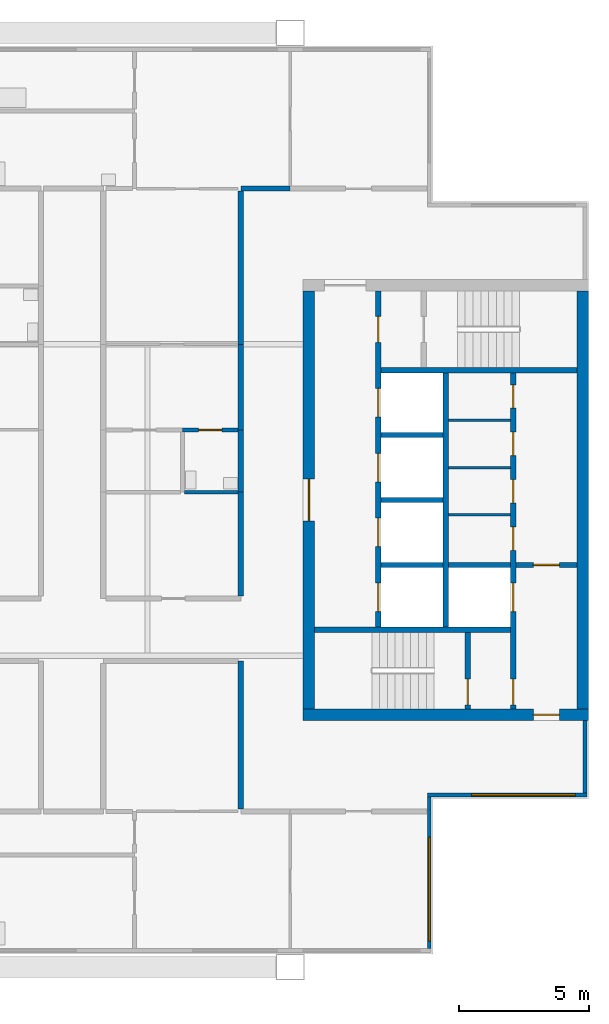
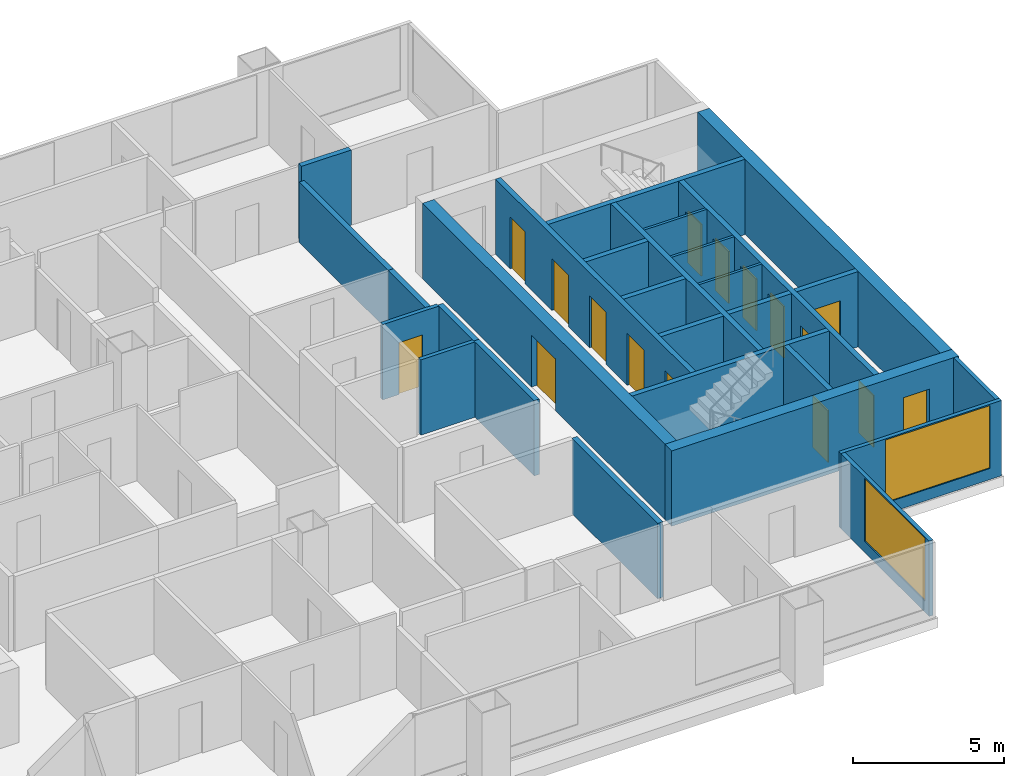
# One storey, part 5 of 9: 28 walls, 16 doors, 2 windows, 18 openings.
"""IFC4 building model written with IfcOpenShell, lengths in metres."""

import ifcopenshell
import ifcopenshell.guid

model = None  # the IFC model being written
_history = None  # IfcOwnerHistory: only IFC2X3 demands one
_inside = {}  # id of a spatial element -> (the spatial element, [elements in it])
_under = {}  # id of a project, library or spatial element -> (it, [spatial elements below it])
_declared = {}  # id of a project -> (the project, [libraries it declares])
_typed = {}  # id of a type object -> (the type object, [elements of that type])
_made_of = {}  # id of a material, layer set ... -> (it, [elements and type objects made of it])


def new_model(schema):
    """Start an empty IFC model of exactly this schema.

    Asked for "IFC4X3", IfcOpenShell would pick the latest addendum, in which some entities
    have other attributes; the version numbers below select the first issue.
    IFC2X3 requires an IfcOwnerHistory on every rooted entity: one is made here for all.
    """
    global model, _history
    if schema == "IFC4X3":
        model = ifcopenshell.file(schema_version=(4, 3, 0, 0))
    else:
        model = ifcopenshell.file(schema=schema)
    _inside.clear()
    _under.clear()
    _declared.clear()
    _typed.clear()
    _made_of.clear()
    _history = None
    if model.schema == "IFC2X3":
        org = make("IfcOrganization", Name="unknown")
        user = make(
            "IfcPersonAndOrganization",
            ThePerson=make("IfcPerson", FamilyName="unknown"),
            TheOrganization=org,
        )
        app = make(
            "IfcApplication",
            ApplicationDeveloper=org,
            Version="unknown",
            ApplicationFullName="unknown",
            ApplicationIdentifier="unknown",
        )
        _history = make(
            "IfcOwnerHistory",
            OwningUser=user,
            OwningApplication=app,
            ChangeAction="ADDED",
            CreationDate=0,
        )
    return model


def make(cls, **values):
    """One entity of the class cls with the attributes given. An attribute that is None is left unset."""
    return model.create_entity(
        cls, **{name: value for name, value in values.items() if value is not None}
    )


def rooted(cls, **values):
    """An entity with a GlobalId (a new one), such as an element, a storey or a relation."""
    return make(cls, GlobalId=ifcopenshell.guid.new(), OwnerHistory=_history, **values)


def si_unit(unit_type, name, prefix=None):
    """IfcSIUnit, for example si_unit("LENGTHUNIT", "METRE", prefix="MILLI")."""
    return make("IfcSIUnit", UnitType=unit_type, Prefix=prefix, Name=name)


def assignment(units):
    """IfcUnitAssignment: the units of a project."""
    return None if units is None else make("IfcUnitAssignment", Units=units)


def point(xyz):
    """IfcCartesianPoint."""
    return None if xyz is None else make("IfcCartesianPoint", Coordinates=xyz)


def direction(xyz):
    """IfcDirection."""
    return None if xyz is None else make("IfcDirection", DirectionRatios=xyz)


def frame(location, z_axis=None, x_axis=None):
    """IfcAxis2Placement3D, a coordinate frame: its origin and axes. An axis left out is left unset."""
    return make(
        "IfcAxis2Placement3D",
        Location=point(location),
        Axis=direction(z_axis),
        RefDirection=direction(x_axis),
    )


def frame_2d(location, x_axis=None):
    """IfcAxis2Placement2D, a coordinate frame in the plane: its origin and x axis."""
    return make(
        "IfcAxis2Placement2D", Location=point(location), RefDirection=direction(x_axis)
    )


def origin():
    """The frame at (0, 0, 0) with its axes left unset."""
    return frame((0.0, 0.0, 0.0))


def place(relative_to, where):
    """IfcLocalPlacement: puts the frame where relative to a parent placement (None: the world)."""
    return make(
        "IfcLocalPlacement", PlacementRelTo=relative_to, RelativePlacement=where
    )


def context(
    kind, dimensions, precision=None, world=None, true_north=None, identifier=None
):
    """IfcGeometricRepresentationContext, for example the 3D "Model" context."""
    return make(
        "IfcGeometricRepresentationContext",
        ContextIdentifier=identifier,
        ContextType=kind,
        CoordinateSpaceDimension=dimensions,
        Precision=precision,
        WorldCoordinateSystem=world,
        TrueNorth=true_north,
    )


def subcontext(parent, identifier, kind, view, scale=None):
    """IfcGeometricRepresentationSubContext, for example "Body" below "Model"."""
    return make(
        "IfcGeometricRepresentationSubContext",
        ContextIdentifier=identifier,
        ContextType=kind,
        ParentContext=parent,
        TargetScale=scale,
        TargetView=view,
    )


def project(units=None, contexts=None):
    """IfcProject with its units and contexts."""
    return rooted(
        "IfcProject",
        Name="project",
        RepresentationContexts=contexts,
        UnitsInContext=assignment(units),
    )


def spatial(cls, under=None, at=None, **own):
    """A site, building, storey or space (cls), placed at a placement, below another one or the project."""
    s = rooted(cls, ObjectPlacement=at, **own)
    if under is not None:
        _under.setdefault(under.id(), (under, []))[1].append(s)
    return s


def profile(cls, at=None, kind="AREA", **sizes):
    """A parametric profile (cls). Its sizes go by their IFC names, for example OverallWidth=200.0."""
    return make(cls, ProfileType=kind, Position=at, **sizes)


def rectangle(**sizes):
    """IfcRectangleProfileDef."""
    return profile("IfcRectangleProfileDef", **sizes)


def extrude(swept, where, along, depth):
    """IfcExtrudedAreaSolid: the profile swept, set in the frame where, extruded along a direction by depth."""
    return make(
        "IfcExtrudedAreaSolid",
        SweptArea=swept,
        Position=where,
        ExtrudedDirection=direction(along),
        Depth=depth,
    )


def shape(context_of_items, identifier, shape_type, items):
    """IfcShapeRepresentation: the items that make up one representation, for example the "Body"."""
    return make(
        "IfcShapeRepresentation",
        ContextOfItems=context_of_items,
        RepresentationIdentifier=identifier,
        RepresentationType=shape_type,
        Items=items,
    )


def material(Name=None, Category=None):
    """IfcMaterial."""
    return make("IfcMaterial", Name=Name, Category=Category)


def layer(
    of_material, thickness, ventilated=None, Name=None, Category=None, Priority=None
):
    """IfcMaterialLayer: one layer of a wall or slab, of a material (None: an air gap)."""
    return make(
        "IfcMaterialLayer",
        Material=of_material,
        LayerThickness=thickness,
        IsVentilated=ventilated,
        Name=Name,
        Category=Category,
        Priority=Priority,
    )


def layer_set(layers, Name=None):
    """IfcMaterialLayerSet."""
    return make("IfcMaterialLayerSet", MaterialLayers=layers, LayerSetName=Name)


def made_of(thing, what):
    """Note that an element or type object is made of a material, layer set ...; save() writes the relation."""
    if what is not None:
        _made_of.setdefault(what.id(), (what, []))[1].append(thing)
    return thing


def type_object(cls, material=None, **own):
    """A type object (cls), such as IfcWallType, which elements share."""
    return made_of(rooted(cls, **own), material)


def element(
    cls,
    number,
    at=None,
    inside=None,
    cuts=None,
    type_object=None,
    material=None,
    context=None,
    identifier="Body",
    shape_type=None,
    held_by="IfcProductDefinitionShape",
    body=None,
    shapes=None,
    **own,
):
    """One element of the class cls, such as IfcWall. Its Tag is "e" and its number.

    at: its placement. inside: the storey or other place that contains it. cuts: it is an
    opening in that element (IfcRelVoidsElement). A single representation is given by context,
    identifier, shape_type and body (its items); several are given by shapes. held_by: the class
    of the entity that holds the representations. save() writes the other relations.
    """
    e = rooted(cls, Tag="e%d" % number, ObjectPlacement=at, **own)
    if body is not None:
        shapes = [shape(context, identifier, shape_type, body)]
    if shapes is not None:
        e.Representation = make(held_by, Representations=shapes)
    if inside is not None:
        _inside.setdefault(inside.id(), (inside, []))[1].append(e)
    if cuts is not None:
        rooted(
            "IfcRelVoidsElement", RelatingBuildingElement=cuts, RelatedOpeningElement=e
        )
    if type_object is not None:
        _typed.setdefault(type_object.id(), (type_object, []))[1].append(e)
    return made_of(e, material)


def fill(opening, filler):
    """IfcRelFillsElement: the door or window that sits in an opening."""
    return rooted(
        "IfcRelFillsElement",
        RelatingOpeningElement=opening,
        RelatedBuildingElement=filler,
    )


def aggregate(whole, parts):
    """IfcRelAggregates: a whole, such as a stair, and the parts it consists of."""
    return rooted("IfcRelAggregates", RelatingObject=whole, RelatedObjects=parts)


def save(model, path):
    """Write the relations noted so far, then the file.

    IfcRelAggregates (storeys below a building ...), IfcRelContainedInSpatialStructure (elements
    in a storey), IfcRelDefinesByType, IfcRelAssociatesMaterial and IfcRelDeclares: one each for
    every whole, place, type object, material and project.
    """
    for whole, parts in _under.values():
        aggregate(whole, parts)
    for where, things in _inside.values():
        rooted(
            "IfcRelContainedInSpatialStructure",
            RelatedElements=things,
            RelatingStructure=where,
        )
    for kind, things in _typed.values():
        rooted("IfcRelDefinesByType", RelatedObjects=things, RelatingType=kind)
    for what, things in _made_of.values():
        rooted("IfcRelAssociatesMaterial", RelatedObjects=things, RelatingMaterial=what)
    for by, libraries in _declared.values():
        rooted("IfcRelDeclares", RelatingContext=by, RelatedDefinitions=libraries)
    model.write(path)


model = new_model("IFC4")

# Units and contexts
model_context = context("Model", 3, precision=1e-05, world=origin(), true_north=direction((0.0, 1.0)))
body_context = subcontext(model_context, "Body", "Model", "MODEL_VIEW")
ifc_project = project(units=[si_unit("LENGTHUNIT", "METRE"), si_unit("AREAUNIT", "SQUARE_METRE"), si_unit("VOLUMEUNIT", "CUBIC_METRE"), si_unit("PLANEANGLEUNIT", "RADIAN"), si_unit("MASSUNIT", "GRAM", prefix="KILO")], contexts=[model_context])

# Site, building, storey
site_placement = place(None, origin())
site = spatial("IfcSite", under=ifc_project, at=site_placement, CompositionType="ELEMENT")
building_placement = place(site_placement, origin())
building = spatial("IfcBuilding", under=site, at=building_placement, Name="Kitamizu Gate Tower and Museum", CompositionType="ELEMENT")
storey_placement = place(building_placement, frame((0.0, 0.0, 224.85009765625)))
storey = spatial("IfcBuildingStorey", under=building, at=storey_placement, Name="L60", CompositionType="ELEMENT", Elevation=224.85009765625)

# Wall, opening, door
ifc_material_1 = material(Name="Concrete Fc42", Category="concrete")
ifc_layer_1 = layer(ifc_material_1, 0.449951171875)
ifc_layer_set_1 = layer_set([ifc_layer_1], Name="Concrete Fc42")
wall_type_1 = type_object("IfcWallType", Name="Core wall 450", PredefinedType="SHEAR", material=ifc_layer_set_1)
wall_1_placement = place(storey_placement, frame((59.5, 21.72509765625, 0.0), z_axis=(0.0, 0.0, 1.0), x_axis=(-1.0, 0.0, 0.0)))
wall_1 = element("IfcWall", 1, at=wall_1_placement, inside=storey, type_object=wall_type_1, Name="Core wall ES", PredefinedType="SHEAR", context=body_context, shape_type="SweptSolid", body=[
    extrude(rectangle(XDim=11.0, YDim=0.449951171875, at=frame_2d((5.5, 0.0))), origin(), (0.0, 0.0, 1.0), 3.0498046875),
])
opening_1_placement = place(wall_1_placement, frame((1.125, 0.0, 0.0)))
opening_1 = element("IfcOpeningElement", 2, at=opening_1_placement, cuts=wall_1, Name="Opening L60-051", PredefinedType="OPENING", context=body_context, shape_type="SweptSolid", body=[
    extrude(rectangle(XDim=1.0, YDim=2.10009765625, at=frame_2d((0.5, 1.050048828125))), frame((0.0, 0.23486328125, 0.0), z_axis=(0.0, -1.0, 0.0), x_axis=(1.0, 0.0, 0.0)), (0.0, 0.0, 1.0), 0.469970703125),
])
ifc_material_2 = material(Name="Hollow metal door set")
door_type_1 = type_object("IfcDoorType", Name="Fire door 1000", OperationType="NOTDEFINED", PredefinedType="DOOR", material=ifc_material_2)
door_1_placement = place(opening_1_placement, frame((1.0, 0.0, 0.0), x_axis=(-1.0, 0.0, 0.0)))
door_1 = element("IfcDoor", 3, at=door_1_placement, inside=storey, type_object=door_type_1, Name="Fire-fighting lobby door L60-051", OperationType="SINGLE_SWING_RIGHT", OverallHeight=2.10009765625, OverallWidth=1.0, PredefinedType="DOOR", context=body_context, shape_type="SweptSolid", body=[
    extrude(rectangle(XDim=1.0, YDim=2.10009765625, at=frame_2d((0.5, 1.050048828125))), frame((0.0, 0.02490234375, 0.0), z_axis=(0.0, -1.0, 0.0), x_axis=(1.0, 0.0, 0.0)), (0.0, 0.0, 1.0), 0.050048828125),
])
fill(opening_1, door_1)

# Wall
wall_2_placement = place(storey_placement, frame((59.27490234375, 21.949951171875, 0.0), z_axis=(0.0, 0.0, 1.0), x_axis=(0.0, 1.0, 0.0)))
element("IfcWall", 4, at=wall_2_placement, inside=storey, type_object=wall_type_1, Name="Core wall EOUT", PredefinedType="SHEAR", context=body_context, shape_type="SweptSolid", body=[
    extrude(rectangle(XDim=16.10009765625, YDim=0.449951171875, at=frame_2d((8.050048828125, 0.0))), origin(), (0.0, 0.0, 1.0), 3.0498046875),
])

# Wall, opening, door
wall_3_placement = place(storey_placement, frame((48.72509765625, 21.949951171875, 0.0), z_axis=(0.0, 0.0, 1.0), x_axis=(0.0, 1.0, 0.0)))
wall_3 = element("IfcWall", 5, at=wall_3_placement, inside=storey, type_object=wall_type_1, Name="Core wall EARC", PredefinedType="SHEAR", context=body_context, shape_type="SweptSolid", body=[
    extrude(rectangle(XDim=16.10009765625, YDim=0.449951171875, at=frame_2d((8.050048828125, 0.0))), origin(), (0.0, 0.0, 1.0), 3.0498046875),
])
opening_2_placement = place(wall_3_placement, frame((7.25, 0.0, 0.0)))
opening_2 = element("IfcOpeningElement", 6, at=opening_2_placement, cuts=wall_3, Name="Opening L60-053", PredefinedType="OPENING", context=body_context, shape_type="SweptSolid", body=[
    extrude(rectangle(XDim=1.60009765625, YDim=2.10009765625, at=frame_2d((0.800048828125, 1.050048828125))), frame((0.0, 0.23486328125, 0.0), z_axis=(0.0, -1.0, 0.0), x_axis=(1.0, 0.0, 0.0)), (0.0, 0.0, 1.0), 0.469970703125),
])
ifc_material_3 = material(Name="Timber door set", Category="wood")
door_type_2 = type_object("IfcDoorType", Name="Entrance door 1600", OperationType="DOUBLE_DOOR_SINGLE_SWING", PredefinedType="DOOR", material=ifc_material_3)
door_2_placement = place(opening_2_placement, origin())
door_2 = element("IfcDoor", 7, at=door_2_placement, inside=storey, type_object=door_type_2, Name="Lobby door L60-053", OperationType="DOUBLE_DOOR_SINGLE_SWING", OverallHeight=2.10009765625, OverallWidth=1.60009765625, PredefinedType="DOOR", context=body_context, shape_type="SweptSolid", body=[
    extrude(rectangle(XDim=1.60009765625, YDim=2.10009765625, at=frame_2d((0.800048828125, 1.050048828125))), frame((0.0, 0.02490234375, 0.0), z_axis=(0.0, -1.0, 0.0), x_axis=(1.0, 0.0, 0.0)), (0.0, 0.0, 1.0), 0.050048828125),
])
fill(opening_2, door_2)

# Walls
ifc_material_4 = material(Name="Gypsum board on galvanised stud")
ifc_layer_2 = layer(ifc_material_4, 0.10009765625)
ifc_layer_set_2 = layer_set([ifc_layer_2], Name="Gypsum board on galvanised stud")
wall_type_2 = type_object("IfcWallType", Name="Partition 100", PredefinedType="PARTITIONING", material=ifc_layer_set_2)
for number, where, z_axis, x_axis, name in (
    (8, (56.5, 29.425048828125, 0.0), (0.0, 0.0, 1.0), (-1.0, 0.0, 0.0), "Partition EPF1"),
    (9, (56.5, 31.25, 0.0), (0.0, 0.0, 1.0), (-1.0, 0.0, 0.0), "Partition EPF2"),
    (10, (56.5, 33.074951171875, 0.0), (0.0, 0.0, 1.0), (-1.0, 0.0, 0.0), "Partition EPF3"),
):
    element("IfcWall", number, at=place(storey_placement, frame(where, z_axis=z_axis, x_axis=x_axis)), inside=storey, type_object=wall_type_2, Name=name, PredefinedType="PARTITIONING", context=body_context, shape_type="SweptSolid", body=[
        extrude(rectangle(XDim=2.39990234375, YDim=0.10009765625, at=frame_2d((1.199951171875, 0.0))), origin(), (0.0, 0.0, 1.0), 3.0498046875),
    ])

# Wall, opening, door
ifc_material_5 = material(Name="Gypsum board on galvanised stud")
ifc_layer_3 = layer(ifc_material_5, 0.14990234375)
ifc_layer_set_3 = layer_set([ifc_layer_3], Name="Gypsum board on galvanised stud")
wall_type_3 = type_object("IfcWallType", Name="Partition 150", PredefinedType="PARTITIONING", material=ifc_layer_set_3)
wall_4_placement = place(storey_placement, frame((43.85009765625, 32.699951171875, 0.0), z_axis=(0.0, 0.0, 1.0), x_axis=(1.0, 0.0, 0.0)))
wall_4 = element("IfcWall", 11, at=wall_4_placement, inside=storey, type_object=wall_type_3, Name="Partition L60-083", PredefinedType="PARTITIONING", context=body_context, shape_type="SweptSolid", body=[
    extrude(rectangle(XDim=2.14990234375, YDim=0.14990234375, at=frame_2d((1.074951171875, 0.0))), origin(), (0.0, 0.0, 1.0), 3.0498046875),
])
opening_3_placement = place(wall_4_placement, frame((0.625, 0.0, 0.0)))
opening_3 = element("IfcOpeningElement", 12, at=opening_3_placement, cuts=wall_4, Name="Opening L60-031", PredefinedType="OPENING", context=body_context, shape_type="SweptSolid", body=[
    extrude(rectangle(XDim=0.89990234375, YDim=2.10009765625, at=frame_2d((0.449951171875, 1.050048828125))), frame((0.0, 0.0849609375, 0.0), z_axis=(0.0, -1.0, 0.0), x_axis=(1.0, 0.0, 0.0)), (0.0, 0.0, 1.0), 0.169921875),
])
ifc_material_6 = material(Name="Timber door set", Category="wood")
door_type_3 = type_object("IfcDoorType", Name="Bathroom door 900", OperationType="NOTDEFINED", PredefinedType="DOOR", material=ifc_material_6)
door_3_placement = place(opening_3_placement, frame((0.89990234375, 0.0, 0.0), x_axis=(-1.0, 0.0, 0.0)))
door_3 = element("IfcDoor", 13, at=door_3_placement, inside=storey, type_object=door_type_3, Name="Bathroom door L60-031", OperationType="SINGLE_SWING_RIGHT", OverallHeight=2.10009765625, OverallWidth=0.89990234375, PredefinedType="DOOR", context=body_context, shape_type="SweptSolid", body=[
    extrude(rectangle(XDim=0.89990234375, YDim=2.10009765625, at=frame_2d((0.449951171875, 1.050048828125))), frame((0.0, 0.02490234375, 0.0), z_axis=(0.0, -1.0, 0.0), x_axis=(1.0, 0.0, 0.0)), (0.0, 0.0, 1.0), 0.050048828125),
])
fill(opening_3, door_3)

# Walls
wall_5_placement = place(storey_placement, frame((43.925048828125, 30.300048828125, 0.0), z_axis=(0.0, 0.0, 1.0), x_axis=(1.0, 0.0, 0.0)))
element("IfcWall", 14, at=wall_5_placement, inside=storey, type_object=wall_type_3, Name="Partition L60-088", PredefinedType="PARTITIONING", context=body_context, shape_type="SweptSolid", body=[
    extrude(rectangle(XDim=2.074951171875, YDim=0.14990234375, at=frame_2d((1.03759765625, 0.0))), origin(), (0.0, 0.0, 1.0), 3.0498046875),
])
ifc_material_7 = material(Name="Gypsum board on galvanised stud")
ifc_layer_4 = layer(ifc_material_7, 0.199951171875)
ifc_layer_set_4 = layer_set([ifc_layer_4], Name="Gypsum board on galvanised stud")
wall_type_4 = type_object("IfcWallType", Name="Partition 200", PredefinedType="PARTITIONING", material=ifc_layer_set_4)
wall_6_placement = place(storey_placement, frame((46.10009765625, 18.10009765625, 0.0), z_axis=(0.0, 0.0, 1.0), x_axis=(0.0, 1.0, 0.0)))
element("IfcWall", 15, at=wall_6_placement, inside=storey, type_object=wall_type_4, Name="Partition L60-028", PredefinedType="PARTITIONING", context=body_context, shape_type="SweptSolid", body=[
    extrude(rectangle(XDim=5.699951171875, YDim=0.199951171875, at=frame_2d((2.85009765625, 0.0))), origin(), (0.0, 0.0, 1.0), 3.0498046875),
])
wall_7_placement = place(storey_placement, frame((46.10009765625, 42.0, 0.0), z_axis=(0.0, 0.0, 1.0), x_axis=(1.0, 0.0, 0.0)))
element("IfcWall", 16, at=wall_7_placement, inside=storey, type_object=wall_type_4, Name="Partition L60-078", PredefinedType="PARTITIONING", context=body_context, shape_type="SweptSolid", body=[
    extrude(rectangle(XDim=1.89990234375, YDim=0.199951171875, at=frame_2d((0.949951171875, 0.0))), origin(), (0.0, 0.0, 1.0), 3.0498046875),
])
wall_8_placement = place(storey_placement, frame((46.10009765625, 36.0, 0.0), z_axis=(0.0, 0.0, 1.0), x_axis=(0.0, 1.0, 0.0)))
element("IfcWall", 17, at=wall_8_placement, inside=storey, type_object=wall_type_4, Name="Partition L60-082", PredefinedType="PARTITIONING", context=body_context, shape_type="SweptSolid", body=[
    extrude(rectangle(XDim=5.89990234375, YDim=0.199951171875, at=frame_2d((2.949951171875, 0.0))), origin(), (0.0, 0.0, 1.0), 2.449951171875),
])
wall_9_placement = place(storey_placement, frame((46.10009765625, 32.699951171875, 0.0), z_axis=(0.0, 0.0, 1.0), x_axis=(0.0, 1.0, 0.0)))
element("IfcWall", 18, at=wall_9_placement, inside=storey, type_object=wall_type_4, Name="Partition L60-086", PredefinedType="PARTITIONING", context=body_context, shape_type="SweptSolid", body=[
    extrude(rectangle(XDim=3.300048828125, YDim=0.199951171875, at=frame_2d((1.64990234375, 0.0))), origin(), (0.0, 0.0, 1.0), 2.449951171875),
])
wall_10_placement = place(storey_placement, frame((46.10009765625, 30.300048828125, 0.0), z_axis=(0.0, 0.0, 1.0), x_axis=(0.0, 1.0, 0.0)))
element("IfcWall", 19, at=wall_10_placement, inside=storey, type_object=wall_type_4, Name="Partition L60-089", PredefinedType="PARTITIONING", context=body_context, shape_type="SweptSolid", body=[
    extrude(rectangle(XDim=2.39990234375, YDim=0.199951171875, at=frame_2d((1.199951171875, 0.0))), origin(), (0.0, 0.0, 1.0), 3.0498046875),
])
wall_11_placement = place(storey_placement, frame((46.10009765625, 26.300048828125, 0.0), z_axis=(0.0, 0.0, 1.0), x_axis=(0.0, 1.0, 0.0)))
element("IfcWall", 20, at=wall_11_placement, inside=storey, type_object=wall_type_4, Name="Partition L60-094", PredefinedType="PARTITIONING", context=body_context, shape_type="SweptSolid", body=[
    extrude(rectangle(XDim=4.0, YDim=0.199951171875, at=frame_2d((2.0, 0.0))), origin(), (0.0, 0.0, 1.0), 3.0498046875),
])

# Wall, openings, doors
ifc_material_8 = material(Name="Concrete Fc42", Category="concrete")
ifc_layer_5 = layer(ifc_material_8, 0.199951171875)
ifc_layer_set_5 = layer_set([ifc_layer_5], Name="Concrete Fc42")
wall_type_5 = type_object("IfcWallType", Name="Shaft wall 200", PredefinedType="SOLIDWALL", material=ifc_layer_set_5)
wall_12_placement = place(storey_placement, frame((56.60009765625, 21.949951171875, 0.0), z_axis=(0.0, 0.0, 1.0), x_axis=(0.0, 1.0, 0.0)))
wall_12 = element("IfcWall", 21, at=wall_12_placement, inside=storey, type_object=wall_type_5, Name="Shaft wall EWEST", PredefinedType="SOLIDWALL", context=body_context, shape_type="SweptSolid", body=[
    extrude(rectangle(XDim=12.949951171875, YDim=0.199951171875, at=frame_2d((6.47509765625, 0.0))), origin(), (0.0, 0.0, 1.0), 3.0498046875),
])
opening_4_placement = place(wall_12_placement, frame((3.75, 0.0, 0.0)))
opening_4 = element("IfcOpeningElement", 22, at=opening_4_placement, cuts=wall_12, Name="Opening LD", PredefinedType="OPENING", context=body_context, shape_type="SweptSolid", body=[
    extrude(rectangle(XDim=1.10009765625, YDim=2.10009765625, at=frame_2d((0.550048828125, 1.050048828125))), frame((0.0, 0.10986328125, 0.0), z_axis=(0.0, -1.0, 0.0), x_axis=(1.0, 0.0, 0.0)), (0.0, 0.0, 1.0), 0.219970703125),
])
opening_5_placement = place(wall_12_placement, frame((0.14990234375, 0.0, 0.0)))
opening_5 = element("IfcOpeningElement", 23, at=opening_5_placement, cuts=wall_12, Name="Opening L60-047", PredefinedType="OPENING", context=body_context, shape_type="SweptSolid", body=[
    extrude(rectangle(XDim=1.0, YDim=2.10009765625, at=frame_2d((0.5, 1.050048828125))), frame((0.0, 0.10986328125, 0.0), z_axis=(0.0, -1.0, 0.0), x_axis=(1.0, 0.0, 0.0)), (0.0, 0.0, 1.0), 0.219970703125),
])
opening_6_placement = place(wall_12_placement, frame((6.112548828125, 0.0, 0.0)))
opening_6 = element("IfcOpeningElement", 24, at=opening_6_placement, cuts=wall_12, Name="Opening L60-054", PredefinedType="OPENING", context=body_context, shape_type="SweptSolid", body=[
    extrude(rectangle(XDim=0.89990234375, YDim=2.10009765625, at=frame_2d((0.449951171875, 1.050048828125))), frame((0.0, 0.10986328125, 0.0), z_axis=(0.0, -1.0, 0.0), x_axis=(1.0, 0.0, 0.0)), (0.0, 0.0, 1.0), 0.219970703125),
])
opening_7_placement = place(wall_12_placement, frame((7.9375, 0.0, 0.0)))
opening_7 = element("IfcOpeningElement", 25, at=opening_7_placement, cuts=wall_12, Name="Opening L60-055", PredefinedType="OPENING", context=body_context, shape_type="SweptSolid", body=[
    extrude(rectangle(XDim=0.89990234375, YDim=2.10009765625, at=frame_2d((0.449951171875, 1.050048828125))), frame((0.0, 0.10986328125, 0.0), z_axis=(0.0, -1.0, 0.0), x_axis=(1.0, 0.0, 0.0)), (0.0, 0.0, 1.0), 0.219970703125),
])
opening_8_placement = place(wall_12_placement, frame((9.762451171875, 0.0, 0.0)))
opening_8 = element("IfcOpeningElement", 26, at=opening_8_placement, cuts=wall_12, Name="Opening L60-056", PredefinedType="OPENING", context=body_context, shape_type="SweptSolid", body=[
    extrude(rectangle(XDim=0.89990234375, YDim=2.10009765625, at=frame_2d((0.449951171875, 1.050048828125))), frame((0.0, 0.10986328125, 0.0), z_axis=(0.0, -1.0, 0.0), x_axis=(1.0, 0.0, 0.0)), (0.0, 0.0, 1.0), 0.219970703125),
])
opening_9_placement = place(wall_12_placement, frame((11.58740234375, 0.0, 0.0)))
opening_9 = element("IfcOpeningElement", 27, at=opening_9_placement, cuts=wall_12, Name="Opening L60-057", PredefinedType="OPENING", context=body_context, shape_type="SweptSolid", body=[
    extrude(rectangle(XDim=0.89990234375, YDim=2.10009765625, at=frame_2d((0.449951171875, 1.050048828125))), frame((0.0, 0.10986328125, 0.0), z_axis=(0.0, -1.0, 0.0), x_axis=(1.0, 0.0, 0.0)), (0.0, 0.0, 1.0), 0.219970703125),
])
door_4_placement = place(opening_5_placement, origin())
door_4 = element("IfcDoor", 28, at=door_4_placement, inside=storey, type_object=door_type_1, Name="Stair lobby door L60-047", OperationType="SINGLE_SWING_RIGHT", OverallHeight=2.10009765625, OverallWidth=1.0, PredefinedType="DOOR", context=body_context, shape_type="SweptSolid", body=[
    extrude(rectangle(XDim=1.0, YDim=2.10009765625, at=frame_2d((0.5, 1.050048828125))), frame((0.0, 0.02490234375, 0.0), z_axis=(0.0, -1.0, 0.0), x_axis=(1.0, 0.0, 0.0)), (0.0, 0.0, 1.0), 0.050048828125),
])
fill(opening_5, door_4)
ifc_material_9 = material(Name="Hollow metal door set")
door_type_4 = type_object("IfcDoorType", Name="Landing door 1100", OperationType="SLIDING_TO_LEFT", PredefinedType="DOOR", material=ifc_material_9)
door_5_placement = place(opening_4_placement, origin())
door_5 = element("IfcDoor", 29, at=door_5_placement, inside=storey, type_object=door_type_4, Name="Landing door EFF1", OperationType="SLIDING_TO_LEFT", OverallHeight=2.10009765625, OverallWidth=1.10009765625, PredefinedType="DOOR", context=body_context, shape_type="SweptSolid", body=[
    extrude(rectangle(XDim=1.10009765625, YDim=2.10009765625, at=frame_2d((0.550048828125, 1.050048828125))), frame((0.0, 0.02490234375, 0.0), z_axis=(0.0, -1.0, 0.0), x_axis=(1.0, 0.0, 0.0)), (0.0, 0.0, 1.0), 0.050048828125),
])
fill(opening_4, door_5)
ifc_material_10 = material(Name="Timber door set", Category="wood")
door_type_5 = type_object("IfcDoorType", Name="Service door 900", OperationType="NOTDEFINED", PredefinedType="DOOR", material=ifc_material_10)
door_6_placement = place(opening_6_placement, origin())
door_6 = element("IfcDoor", 30, at=door_6_placement, inside=storey, type_object=door_type_5, Name="Service door L60-054", OperationType="SINGLE_SWING_RIGHT", OverallHeight=2.10009765625, OverallWidth=0.89990234375, PredefinedType="DOOR", context=body_context, shape_type="SweptSolid", body=[
    extrude(rectangle(XDim=0.89990234375, YDim=2.10009765625, at=frame_2d((0.449951171875, 1.050048828125))), frame((0.0, 0.02490234375, 0.0), z_axis=(0.0, -1.0, 0.0), x_axis=(1.0, 0.0, 0.0)), (0.0, 0.0, 1.0), 0.050048828125),
])
fill(opening_6, door_6)
door_7_placement = place(opening_7_placement, origin())
door_7 = element("IfcDoor", 31, at=door_7_placement, inside=storey, type_object=door_type_5, Name="Service door L60-055", OperationType="SINGLE_SWING_LEFT", OverallHeight=2.10009765625, OverallWidth=0.89990234375, PredefinedType="DOOR", context=body_context, shape_type="SweptSolid", body=[
    extrude(rectangle(XDim=0.89990234375, YDim=2.10009765625, at=frame_2d((0.449951171875, 1.050048828125))), frame((0.0, 0.02490234375, 0.0), z_axis=(0.0, -1.0, 0.0), x_axis=(1.0, 0.0, 0.0)), (0.0, 0.0, 1.0), 0.050048828125),
])
fill(opening_7, door_7)
door_8_placement = place(opening_8_placement, origin())
door_8 = element("IfcDoor", 32, at=door_8_placement, inside=storey, type_object=door_type_5, Name="Service door L60-056", OperationType="SINGLE_SWING_RIGHT", OverallHeight=2.10009765625, OverallWidth=0.89990234375, PredefinedType="DOOR", context=body_context, shape_type="SweptSolid", body=[
    extrude(rectangle(XDim=0.89990234375, YDim=2.10009765625, at=frame_2d((0.449951171875, 1.050048828125))), frame((0.0, 0.02490234375, 0.0), z_axis=(0.0, -1.0, 0.0), x_axis=(1.0, 0.0, 0.0)), (0.0, 0.0, 1.0), 0.050048828125),
])
fill(opening_8, door_8)
door_9_placement = place(opening_9_placement, origin())
door_9 = element("IfcDoor", 33, at=door_9_placement, inside=storey, type_object=door_type_5, Name="Service door L60-057", OperationType="SINGLE_SWING_LEFT", OverallHeight=2.10009765625, OverallWidth=0.89990234375, PredefinedType="DOOR", context=body_context, shape_type="SweptSolid", body=[
    extrude(rectangle(XDim=0.89990234375, YDim=2.10009765625, at=frame_2d((0.449951171875, 1.050048828125))), frame((0.0, 0.02490234375, 0.0), z_axis=(0.0, -1.0, 0.0), x_axis=(1.0, 0.0, 0.0)), (0.0, 0.0, 1.0), 0.050048828125),
])
fill(opening_9, door_9)

wall_13_placement = place(storey_placement, frame((51.39990234375, 25.10009765625, 0.0), z_axis=(0.0, 0.0, 1.0), x_axis=(0.0, 1.0, 0.0)))
wall_13 = element("IfcWall", 34, at=wall_13_placement, inside=storey, type_object=wall_type_5, Name="Shaft wall EEAST", PredefinedType="SOLIDWALL", context=body_context, shape_type="SweptSolid", body=[
    extrude(rectangle(XDim=12.949951171875, YDim=0.199951171875, at=frame_2d((6.47509765625, 0.0))), origin(), (0.0, 0.0, 1.0), 3.0498046875),
])
opening_10_placement = place(wall_13_placement, frame((0.60009765625, 0.0, 0.0)))
opening_10 = element("IfcOpeningElement", 35, at=opening_10_placement, cuts=wall_13, Name="Opening LD", PredefinedType="OPENING", context=body_context, shape_type="SweptSolid", body=[
    extrude(rectangle(XDim=1.10009765625, YDim=2.10009765625, at=frame_2d((0.550048828125, 1.050048828125))), frame((0.0, 0.10986328125, 0.0), z_axis=(0.0, -1.0, 0.0), x_axis=(1.0, 0.0, 0.0)), (0.0, 0.0, 1.0), 0.219970703125),
])
opening_11_placement = place(wall_13_placement, frame((3.10009765625, 0.0, 0.0)))
opening_11 = element("IfcOpeningElement", 36, at=opening_11_placement, cuts=wall_13, Name="Opening LD", PredefinedType="OPENING", context=body_context, shape_type="SweptSolid", body=[
    extrude(rectangle(XDim=1.10009765625, YDim=2.10009765625, at=frame_2d((0.550048828125, 1.050048828125))), frame((0.0, 0.10986328125, 0.0), z_axis=(0.0, -1.0, 0.0), x_axis=(1.0, 0.0, 0.0)), (0.0, 0.0, 1.0), 0.219970703125),
])
opening_12_placement = place(wall_13_placement, frame((5.60009765625, 0.0, 0.0)))
opening_12 = element("IfcOpeningElement", 37, at=opening_12_placement, cuts=wall_13, Name="Opening LD", PredefinedType="OPENING", context=body_context, shape_type="SweptSolid", body=[
    extrude(rectangle(XDim=1.10009765625, YDim=2.10009765625, at=frame_2d((0.550048828125, 1.050048828125))), frame((0.0, 0.10986328125, 0.0), z_axis=(0.0, -1.0, 0.0), x_axis=(1.0, 0.0, 0.0)), (0.0, 0.0, 1.0), 0.219970703125),
])
opening_13_placement = place(wall_13_placement, frame((8.10009765625, 0.0, 0.0)))
opening_13 = element("IfcOpeningElement", 38, at=opening_13_placement, cuts=wall_13, Name="Opening LD", PredefinedType="OPENING", context=body_context, shape_type="SweptSolid", body=[
    extrude(rectangle(XDim=1.10009765625, YDim=2.10009765625, at=frame_2d((0.550048828125, 1.050048828125))), frame((0.0, 0.10986328125, 0.0), z_axis=(0.0, -1.0, 0.0), x_axis=(1.0, 0.0, 0.0)), (0.0, 0.0, 1.0), 0.219970703125),
])
opening_14_placement = place(wall_13_placement, frame((10.97509765625, 0.0, 0.0)))
opening_14 = element("IfcOpeningElement", 39, at=opening_14_placement, cuts=wall_13, Name="Opening L60-048", PredefinedType="OPENING", context=body_context, shape_type="SweptSolid", body=[
    extrude(rectangle(XDim=1.0, YDim=2.10009765625, at=frame_2d((0.5, 1.050048828125))), frame((0.0, 0.10986328125, 0.0), z_axis=(0.0, -1.0, 0.0), x_axis=(1.0, 0.0, 0.0)), (0.0, 0.0, 1.0), 0.219970703125),
])
door_10_placement = place(opening_14_placement, frame((1.0, 0.0, 0.0), x_axis=(-1.0, 0.0, 0.0)))
door_10 = element("IfcDoor", 40, at=door_10_placement, inside=storey, type_object=door_type_1, Name="Stair lobby door L60-048", OperationType="SINGLE_SWING_LEFT", OverallHeight=2.10009765625, OverallWidth=1.0, PredefinedType="DOOR", context=body_context, shape_type="SweptSolid", body=[
    extrude(rectangle(XDim=1.0, YDim=2.10009765625, at=frame_2d((0.5, 1.050048828125))), frame((0.0, 0.02490234375, 0.0), z_axis=(0.0, -1.0, 0.0), x_axis=(1.0, 0.0, 0.0)), (0.0, 0.0, 1.0), 0.050048828125),
])
fill(opening_14, door_10)
door_11_placement = place(opening_10_placement, origin())
door_11 = element("IfcDoor", 41, at=door_11_placement, inside=storey, type_object=door_type_4, Name="Landing door ESV1", OperationType="SLIDING_TO_LEFT", OverallHeight=2.10009765625, OverallWidth=1.10009765625, PredefinedType="DOOR", context=body_context, shape_type="SweptSolid", body=[
    extrude(rectangle(XDim=1.10009765625, YDim=2.10009765625, at=frame_2d((0.550048828125, 1.050048828125))), frame((0.0, 0.02490234375, 0.0), z_axis=(0.0, -1.0, 0.0), x_axis=(1.0, 0.0, 0.0)), (0.0, 0.0, 1.0), 0.050048828125),
])
fill(opening_10, door_11)
door_12_placement = place(opening_11_placement, origin())
door_12 = element("IfcDoor", 42, at=door_12_placement, inside=storey, type_object=door_type_4, Name="Landing door EH1", OperationType="SLIDING_TO_LEFT", OverallHeight=2.10009765625, OverallWidth=1.10009765625, PredefinedType="DOOR", context=body_context, shape_type="SweptSolid", body=[
    extrude(rectangle(XDim=1.10009765625, YDim=2.10009765625, at=frame_2d((0.550048828125, 1.050048828125))), frame((0.0, 0.02490234375, 0.0), z_axis=(0.0, -1.0, 0.0), x_axis=(1.0, 0.0, 0.0)), (0.0, 0.0, 1.0), 0.050048828125),
])
fill(opening_11, door_12)
door_13_placement = place(opening_12_placement, origin())
door_13 = element("IfcDoor", 43, at=door_13_placement, inside=storey, type_object=door_type_4, Name="Landing door EH2", OperationType="SLIDING_TO_LEFT", OverallHeight=2.10009765625, OverallWidth=1.10009765625, PredefinedType="DOOR", context=body_context, shape_type="SweptSolid", body=[
    extrude(rectangle(XDim=1.10009765625, YDim=2.10009765625, at=frame_2d((0.550048828125, 1.050048828125))), frame((0.0, 0.02490234375, 0.0), z_axis=(0.0, -1.0, 0.0), x_axis=(1.0, 0.0, 0.0)), (0.0, 0.0, 1.0), 0.050048828125),
])
fill(opening_12, door_13)
door_14_placement = place(opening_13_placement, origin())
door_14 = element("IfcDoor", 44, at=door_14_placement, inside=storey, type_object=door_type_4, Name="Landing door EH3", OperationType="SLIDING_TO_LEFT", OverallHeight=2.10009765625, OverallWidth=1.10009765625, PredefinedType="DOOR", context=body_context, shape_type="SweptSolid", body=[
    extrude(rectangle(XDim=1.10009765625, YDim=2.10009765625, at=frame_2d((0.550048828125, 1.050048828125))), frame((0.0, 0.02490234375, 0.0), z_axis=(0.0, -1.0, 0.0), x_axis=(1.0, 0.0, 0.0)), (0.0, 0.0, 1.0), 0.050048828125),
])
fill(opening_13, door_14)

# Walls
wall_14_placement = place(storey_placement, frame((54.0, 25.10009765625, 0.0), z_axis=(0.0, 0.0, 1.0), x_axis=(0.0, 1.0, 0.0)))
element("IfcWall", 45, at=wall_14_placement, inside=storey, type_object=wall_type_5, Name="Shaft wall EMID", PredefinedType="SOLIDWALL", context=body_context, shape_type="SweptSolid", body=[
    extrude(rectangle(XDim=9.7998046875, YDim=0.199951171875, at=frame_2d((4.89990234375, 0.0))), origin(), (0.0, 0.0, 1.0), 3.0498046875),
])
for number, where, z_axis, x_axis, name in (
    (46, (56.5, 25.0, 0.0), (0.0, 0.0, 1.0), (-1.0, 0.0, 0.0), "Shaft wall ESB"),
    (47, (59.050048828125, 35.0, 0.0), (0.0, 0.0, 1.0), (-1.0, 0.0, 0.0), "Shaft wall ENB"),
):
    element("IfcWall", number, at=place(storey_placement, frame(where, z_axis=z_axis, x_axis=x_axis)), inside=storey, type_object=wall_type_5, Name=name, PredefinedType="SOLIDWALL", context=body_context, shape_type="SweptSolid", body=[
        extrude(rectangle(XDim=7.550048828125, YDim=0.199951171875, at=frame_2d((3.77490234375, 0.0))), origin(), (0.0, 0.0, 1.0), 3.0498046875),
    ])

# Wall, opening, door
wall_15_placement = place(storey_placement, frame((59.050048828125, 27.5, 0.0), z_axis=(0.0, 0.0, 1.0), x_axis=(-1.0, 0.0, 0.0)))
wall_15 = element("IfcWall", 48, at=wall_15_placement, inside=storey, type_object=wall_type_5, Name="Shaft wall EFFN", PredefinedType="SOLIDWALL", context=body_context, shape_type="SweptSolid", body=[
    extrude(rectangle(XDim=2.35009765625, YDim=0.199951171875, at=frame_2d((1.175048828125, 0.0))), origin(), (0.0, 0.0, 1.0), 3.0498046875),
])
opening_15_placement = place(wall_15_placement, frame((0.675048828125, 0.0, 0.0)))
opening_15 = element("IfcOpeningElement", 49, at=opening_15_placement, cuts=wall_15, Name="Opening L60-050", PredefinedType="OPENING", context=body_context, shape_type="SweptSolid", body=[
    extrude(rectangle(XDim=1.0, YDim=2.10009765625, at=frame_2d((0.5, 1.050048828125))), frame((0.0, 0.10986328125, 0.0), z_axis=(0.0, -1.0, 0.0), x_axis=(1.0, 0.0, 0.0)), (0.0, 0.0, 1.0), 0.219970703125),
])
door_15_placement = place(opening_15_placement, origin())
door_15 = element("IfcDoor", 50, at=door_15_placement, inside=storey, type_object=door_type_1, Name="Fire-fighting lobby door L60-050", OperationType="SINGLE_SWING_RIGHT", OverallHeight=2.10009765625, OverallWidth=1.0, PredefinedType="DOOR", context=body_context, shape_type="SweptSolid", body=[
    extrude(rectangle(XDim=1.0, YDim=2.10009765625, at=frame_2d((0.5, 1.050048828125))), frame((0.0, 0.02490234375, 0.0), z_axis=(0.0, -1.0, 0.0), x_axis=(1.0, 0.0, 0.0)), (0.0, 0.0, 1.0), 0.050048828125),
])
fill(opening_15, door_15)

wall_16_placement = place(storey_placement, frame((54.85009765625, 21.949951171875, 0.0), z_axis=(0.0, 0.0, 1.0), x_axis=(0.0, 1.0, 0.0)))
wall_16 = element("IfcWall", 51, at=wall_16_placement, inside=storey, type_object=wall_type_5, Name="Shaft wall ESZ", PredefinedType="SOLIDWALL", context=body_context, shape_type="SweptSolid", body=[
    extrude(rectangle(XDim=2.949951171875, YDim=0.199951171875, at=frame_2d((1.47509765625, 0.0))), origin(), (0.0, 0.0, 1.0), 3.0498046875),
])
opening_16_placement = place(wall_16_placement, frame((0.14990234375, 0.0, 0.0)))
opening_16 = element("IfcOpeningElement", 52, at=opening_16_placement, cuts=wall_16, Name="Opening L60-046", PredefinedType="OPENING", context=body_context, shape_type="SweptSolid", body=[
    extrude(rectangle(XDim=1.0, YDim=2.10009765625, at=frame_2d((0.5, 1.050048828125))), frame((0.0, 0.10986328125, 0.0), z_axis=(0.0, -1.0, 0.0), x_axis=(1.0, 0.0, 0.0)), (0.0, 0.0, 1.0), 0.219970703125),
])
door_16_placement = place(opening_16_placement, origin())
door_16 = element("IfcDoor", 53, at=door_16_placement, inside=storey, type_object=door_type_1, Name="Stair door L60-046", OperationType="SINGLE_SWING_RIGHT", OverallHeight=2.10009765625, OverallWidth=1.0, PredefinedType="DOOR", context=body_context, shape_type="SweptSolid", body=[
    extrude(rectangle(XDim=1.0, YDim=2.10009765625, at=frame_2d((0.5, 1.050048828125))), frame((0.0, 0.02490234375, 0.0), z_axis=(0.0, -1.0, 0.0), x_axis=(1.0, 0.0, 0.0)), (0.0, 0.0, 1.0), 0.050048828125),
])
fill(opening_16, door_16)

# Walls
for number, where, z_axis, x_axis, name in (
    (54, (56.5, 27.5, 0.0), (0.0, 0.0, 1.0), (-1.0, 0.0, 0.0), "Shaft wall EDVW0"),
    (55, (53.89990234375, 27.5, 0.0), (0.0, 0.0, 1.0), (-1.0, 0.0, 0.0), "Shaft wall EDVE0"),
    (56, (53.89990234375, 30.0, 0.0), (0.0, 0.0, 1.0), (-1.0, 0.0, 0.0), "Shaft wall EDVE1"),
    (57, (53.89990234375, 32.5, 0.0), (0.0, 0.0, 1.0), (-1.0, 0.0, 0.0), "Shaft wall EDVE2"),
):
    element("IfcWall", number, at=place(storey_placement, frame(where, z_axis=z_axis, x_axis=x_axis)), inside=storey, type_object=wall_type_5, Name=name, PredefinedType="SOLIDWALL", context=body_context, shape_type="SweptSolid", body=[
        extrude(rectangle(XDim=2.39990234375, YDim=0.199951171875, at=frame_2d((1.199951171875, 0.0))), origin(), (0.0, 0.0, 1.0), 3.0498046875),
    ])

# Wall, opening, window
ifc_material_11 = material(Name="Bronze anodised aluminium frame with insulated spandrel and tinted glass", Category="aluminium")
ifc_layer_6 = layer(ifc_material_11, 0.14990234375)
ifc_layer_set_6 = layer_set([ifc_layer_6], Name="Bronze anodised aluminium frame with insulated spandrel and tinted glass")
wall_type_6 = type_object("IfcWallType", Name="WINDOW WALL 150 BRONZE FRAME EI 30", PredefinedType="ELEMENTEDWALL", material=ifc_layer_set_6)
wall_17_placement = place(storey_placement, frame((53.364990234375, 12.7099609375, 0.0), z_axis=(0.0, 0.0, 1.0), x_axis=(0.0, 1.0, 0.0)))
wall_17 = element("IfcWall", 58, at=wall_17_placement, inside=storey, type_object=wall_type_6, Name="Window wall east L60", PredefinedType="ELEMENTEDWALL", context=body_context, shape_type="SweptSolid", body=[
    extrude(rectangle(XDim=5.85009765625, YDim=0.14990234375, at=frame_2d((2.925048828125, 0.0))), origin(), (0.0, 0.0, 1.0), 3.0498046875),
])
opening_17_placement = place(wall_17_placement, frame((0.2900390625, 0.0, 0.449951171875)))
opening_17 = element("IfcOpeningElement", 59, at=opening_17_placement, cuts=wall_17, Name="Opening W16", PredefinedType="OPENING", context=body_context, shape_type="SweptSolid", body=[
    extrude(rectangle(XDim=4.0, YDim=2.550048828125, at=frame_2d((2.0, 1.27490234375))), frame((0.0, 0.0849609375, 0.0), z_axis=(0.0, -1.0, 0.0), x_axis=(1.0, 0.0, 0.0)), (0.0, 0.0, 1.0), 0.169921875),
])
ifc_material_12 = material(Name="Bronze anodised aluminium frame, tinted triple glazing", Category="aluminium")
window_type = type_object("IfcWindowType", Name="WINDOW 4000 x 2550 SILL 450", PartitioningType="SINGLE_PANEL", PredefinedType="WINDOW", material=ifc_material_12)
window_1_placement = place(opening_17_placement, origin())
window_1 = element("IfcWindow", 60, at=window_1_placement, inside=storey, type_object=window_type, Name="Window W16 L60", OverallHeight=2.550048828125, OverallWidth=4.0, PartitioningType="SINGLE_PANEL", PredefinedType="WINDOW", context=body_context, shape_type="SweptSolid", body=[
    extrude(rectangle(XDim=4.0, YDim=2.550048828125, at=frame_2d((2.0, 1.27490234375))), frame((0.0, 0.030029296875, 0.0), z_axis=(0.0, -1.0, 0.0), x_axis=(1.0, 0.0, 0.0)), (0.0, 0.0, 1.0), 0.06005859375),
])
fill(opening_17, window_1)

wall_18_placement = place(storey_placement, frame((53.2900390625, 18.635009765625, 0.0), z_axis=(0.0, 0.0, 1.0), x_axis=(1.0, 0.0, 0.0)))
wall_18 = element("IfcWall", 61, at=wall_18_placement, inside=storey, type_object=wall_type_6, Name="Window wall south L60", PredefinedType="ELEMENTEDWALL", context=body_context, shape_type="SweptSolid", body=[
    extrude(rectangle(XDim=6.14990234375, YDim=0.14990234375, at=frame_2d((3.074951171875, 0.0))), origin(), (0.0, 0.0, 1.0), 3.0498046875),
])
opening_18_placement = place(wall_18_placement, frame((1.7099609375, 0.0, 0.449951171875)))
opening_18 = element("IfcOpeningElement", 62, at=opening_18_placement, cuts=wall_18, Name="Opening W16", PredefinedType="OPENING", context=body_context, shape_type="SweptSolid", body=[
    extrude(rectangle(XDim=4.0, YDim=2.550048828125, at=frame_2d((2.0, 1.27490234375))), frame((0.0, 0.0849609375, 0.0), z_axis=(0.0, -1.0, 0.0), x_axis=(1.0, 0.0, 0.0)), (0.0, 0.0, 1.0), 0.169921875),
])
window_2_placement = place(opening_18_placement, origin())
window_2 = element("IfcWindow", 63, at=window_2_placement, inside=storey, type_object=window_type, Name="Window W16 L60", OverallHeight=2.550048828125, OverallWidth=4.0, PartitioningType="SINGLE_PANEL", PredefinedType="WINDOW", context=body_context, shape_type="SweptSolid", body=[
    extrude(rectangle(XDim=4.0, YDim=2.550048828125, at=frame_2d((2.0, 1.27490234375))), frame((0.0, 0.030029296875, 0.0), z_axis=(0.0, -1.0, 0.0), x_axis=(1.0, 0.0, 0.0)), (0.0, 0.0, 1.0), 0.06005859375),
])
fill(opening_18, window_2)

# Wall
wall_19_placement = place(storey_placement, frame((59.364990234375, 18.7099609375, 0.0), z_axis=(0.0, 0.0, 1.0), x_axis=(0.0, 1.0, 0.0)))
element("IfcWall", 64, at=wall_19_placement, inside=storey, type_object=wall_type_6, Name="Window wall east L60", PredefinedType="ELEMENTEDWALL", context=body_context, shape_type="SweptSolid", body=[
    extrude(rectangle(XDim=2.7900390625, YDim=0.14990234375, at=frame_2d((1.39501953125, 0.0))), origin(), (0.0, 0.0, 1.0), 3.0498046875),
])

save(model, "model.ifc")
